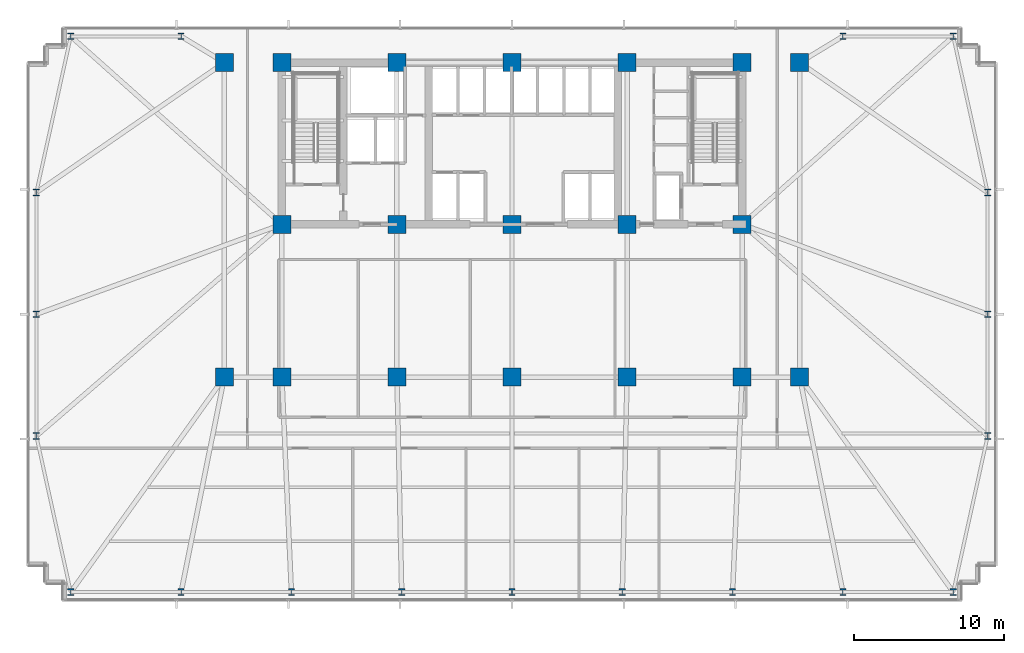
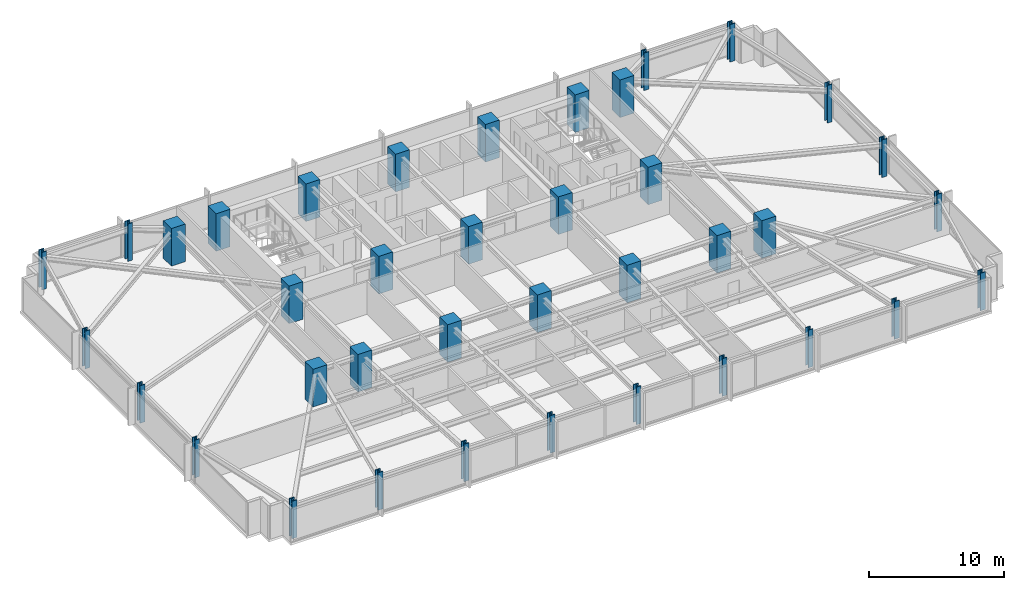
# One storey, part 1 of 32: 38 columns.
"""IFC4 building model written with IfcOpenShell, lengths in metres."""

from ifc_helpers import new_model, si_unit, direction, frame, origin, origin_2d, place, context, subcontext, project, spatial, rectangle, i_section, extrude, material, material_profile, profile_set, type_object, element, save


model = new_model("IFC4")

# Units and contexts
model_context = context("Model", 3, precision=1e-05, world=origin(), true_north=direction((0.0, 1.0)))
body_context = subcontext(model_context, "Body", "Model", "MODEL_VIEW")
ifc_project = project(units=[si_unit("LENGTHUNIT", "METRE"), si_unit("AREAUNIT", "SQUARE_METRE"), si_unit("VOLUMEUNIT", "CUBIC_METRE"), si_unit("PLANEANGLEUNIT", "RADIAN"), si_unit("MASSUNIT", "GRAM", prefix="KILO")], contexts=[model_context])

# Site, building, storey
site_placement = place(None, origin())
site = spatial("IfcSite", under=ifc_project, at=site_placement, CompositionType="ELEMENT")
building_placement = place(site_placement, origin())
building = spatial("IfcBuilding", under=site, at=building_placement, Name="Yelkora Congress Tower", CompositionType="ELEMENT")
storey_placement = place(building_placement, frame((0.0, 0.0, 74.60009765625)))
storey = spatial("IfcBuildingStorey", under=building, at=storey_placement, Name="L19", CompositionType="ELEMENT", Elevation=74.60009765625)

# Columns
ifc_material_1 = material(Name="Steel S460M", Category="steel")
ifc_material_profile_1 = material_profile(ifc_material_1, i_section(OverallWidth=0.41796875, OverallDepth=0.455078125, WebThickness=0.0419921875, FlangeThickness=0.068115234375, FilletRadius=0.014892578125, at=origin_2d()), Name="HD 400x551")
ifc_profile_set_1 = profile_set([ifc_material_profile_1], Name="Steel S460M")
column_type_1 = type_object("IfcColumnType", Name="COL-HD-551-EXT", PredefinedType="COLUMN", material=ifc_profile_set_1)
for number, where, z_axis, x_axis, name in (
    (1, (8.949951171875, 10.85009765625, 0.0), (0.0, 0.0, 1.0), (1.0, 0.0, 0.0), "L19 Perimeter Column S01"),
    (2, (16.3125, 10.85009765625, 0.0), (0.0, 0.0, 1.0), (1.0, 0.0, 0.0), "L19 Perimeter Column S02"),
    (3, (23.675048828125, 10.85009765625, 0.0), (0.0, 0.0, 1.0), (1.0, 0.0, 0.0), "L19 Perimeter Column S03"),
    (4, (31.03759765625, 10.85009765625, 0.0), (0.0, 0.0, 1.0), (1.0, 0.0, 0.0), "L19 Perimeter Column S04"),
    (5, (38.39990234375, 10.85009765625, 0.0), (0.0, 0.0, 1.0), (1.0, 0.0, 0.0), "L19 Perimeter Column S05"),
    (6, (45.762451171875, 10.85009765625, 0.0), (0.0, 0.0, 1.0), (1.0, 0.0, 0.0), "L19 Perimeter Column S06"),
    (7, (53.125, 10.85009765625, 0.0), (0.0, 0.0, 1.0), (1.0, 0.0, 0.0), "L19 Perimeter Column S07"),
    (8, (60.487548828125, 10.85009765625, 0.0), (0.0, 0.0, 1.0), (1.0, 0.0, 0.0), "L19 Perimeter Column S08"),
    (9, (67.85009765625, 10.85009765625, 0.0), (0.0, 0.0, 1.0), (1.0, 0.0, 0.0), "L19 Perimeter Column S09"),
    (10, (8.949951171875, 47.949951171875, 0.0), (0.0, 0.0, 1.0), (1.0, 0.0, 0.0), "L19 Perimeter Column N01"),
    (11, (16.3125, 47.949951171875, 0.0), (0.0, 0.0, 1.0), (1.0, 0.0, 0.0), "L19 Perimeter Column N02"),
    (12, (60.487548828125, 47.949951171875, 0.0), (0.0, 0.0, 1.0), (1.0, 0.0, 0.0), "L19 Perimeter Column N08"),
    (13, (67.85009765625, 47.949951171875, 0.0), (0.0, 0.0, 1.0), (1.0, 0.0, 0.0), "L19 Perimeter Column N09"),
    (14, (6.64990234375, 21.27490234375, 0.0), (0.0, 0.0, 1.0), (1.0, 0.0, 0.0), "L19 Perimeter Column W01"),
    (15, (70.14990234375, 21.27490234375, 0.0), (0.0, 0.0, 1.0), (1.0, 0.0, 0.0), "L19 Perimeter Column E01"),
    (16, (6.64990234375, 29.39990234375, 0.0), (0.0, 0.0, 1.0), (1.0, 0.0, 0.0), "L19 Perimeter Column W02"),
    (17, (70.14990234375, 29.39990234375, 0.0), (0.0, 0.0, 1.0), (1.0, 0.0, 0.0), "L19 Perimeter Column E02"),
    (18, (6.64990234375, 37.52490234375, 0.0), (0.0, 0.0, 1.0), (1.0, 0.0, 0.0), "L19 Perimeter Column W03"),
    (19, (70.14990234375, 37.52490234375, 0.0), (0.0, 0.0, 1.0), (1.0, 0.0, 0.0), "L19 Perimeter Column E03"),
):
    element("IfcColumn", number, at=place(storey_placement, frame(where, z_axis=z_axis, x_axis=x_axis)), inside=storey, type_object=column_type_1, Name=name, PredefinedType="COLUMN", context=body_context, shape_type="SweptSolid", body=[
        extrude(i_section(OverallWidth=0.41796875, OverallDepth=0.455078125, WebThickness=0.0419921875, FlangeThickness=0.068115234375, FilletRadius=0.014892578125, at=origin_2d()), origin(), (0.0, 0.0, 1.0), 3.39990234375),
    ])
ifc_material_2 = material(Name="Concrete C60/75", Category="concrete")
ifc_material_profile_2 = material_profile(ifc_material_2, rectangle(XDim=1.199951171875, YDim=1.199951171875, at=origin_2d()), Name="RC 1200x1200")
ifc_profile_set_2 = profile_set([ifc_material_profile_2], Name="Concrete C60/75")
column_type_2 = type_object("IfcColumnType", Name="COL-RC-1200", PredefinedType="COLUMN", material=ifc_profile_set_2)
for number, where, z_axis, x_axis, name in (
    (20, (23.0400390625, 35.39990234375, 0.0), (0.0, 0.0, 1.0), (1.0, 0.0, 0.0), "L19 Mega Column MC-S1"),
    (21, (23.0400390625, 46.199951171875, 0.0), (0.0, 0.0, 1.0), (1.0, 0.0, 0.0), "L19 Mega Column MC-N1"),
    (22, (23.0400390625, 25.199951171875, 0.0), (0.0, 0.0, 1.0), (1.0, 0.0, 0.0), "L19 Mega Column MC-D1"),
    (23, (30.719970703125, 35.39990234375, 0.0), (0.0, 0.0, 1.0), (1.0, 0.0, 0.0), "L19 Mega Column MC-S2"),
    (24, (30.719970703125, 46.199951171875, 0.0), (0.0, 0.0, 1.0), (1.0, 0.0, 0.0), "L19 Mega Column MC-N2"),
    (25, (30.719970703125, 25.199951171875, 0.0), (0.0, 0.0, 1.0), (1.0, 0.0, 0.0), "L19 Mega Column MC-D2"),
    (26, (38.39990234375, 35.39990234375, 0.0), (0.0, 0.0, 1.0), (1.0, 0.0, 0.0), "L19 Mega Column MC-S3"),
    (27, (38.39990234375, 46.199951171875, 0.0), (0.0, 0.0, 1.0), (1.0, 0.0, 0.0), "L19 Mega Column MC-N3"),
    (28, (38.39990234375, 25.199951171875, 0.0), (0.0, 0.0, 1.0), (1.0, 0.0, 0.0), "L19 Mega Column MC-D3"),
    (29, (46.080078125, 35.39990234375, 0.0), (0.0, 0.0, 1.0), (1.0, 0.0, 0.0), "L19 Mega Column MC-S4"),
    (30, (46.080078125, 46.199951171875, 0.0), (0.0, 0.0, 1.0), (1.0, 0.0, 0.0), "L19 Mega Column MC-N4"),
    (31, (46.080078125, 25.199951171875, 0.0), (0.0, 0.0, 1.0), (1.0, 0.0, 0.0), "L19 Mega Column MC-D4"),
    (32, (53.760009765625, 35.39990234375, 0.0), (0.0, 0.0, 1.0), (1.0, 0.0, 0.0), "L19 Mega Column MC-S5"),
    (33, (53.760009765625, 46.199951171875, 0.0), (0.0, 0.0, 1.0), (1.0, 0.0, 0.0), "L19 Mega Column MC-N5"),
    (34, (53.760009765625, 25.199951171875, 0.0), (0.0, 0.0, 1.0), (1.0, 0.0, 0.0), "L19 Mega Column MC-D5"),
    (35, (19.199951171875, 25.199951171875, 0.0), (0.0, 0.0, 1.0), (1.0, 0.0, 0.0), "L19 Mega Column MC-F1"),
    (36, (57.60009765625, 25.199951171875, 0.0), (0.0, 0.0, 1.0), (1.0, 0.0, 0.0), "L19 Mega Column MC-F2"),
    (37, (19.199951171875, 46.199951171875, 0.0), (0.0, 0.0, 1.0), (1.0, 0.0, 0.0), "L19 Mega Column MC-F3"),
    (38, (57.60009765625, 46.199951171875, 0.0), (0.0, 0.0, 1.0), (1.0, 0.0, 0.0), "L19 Mega Column MC-F4"),
):
    element("IfcColumn", number, at=place(storey_placement, frame(where, z_axis=z_axis, x_axis=x_axis)), inside=storey, type_object=column_type_2, Name=name, PredefinedType="COLUMN", context=body_context, shape_type="SweptSolid", body=[
        extrude(rectangle(XDim=1.199951171875, YDim=1.199951171875, at=origin_2d()), origin(), (0.0, 0.0, 1.0), 3.39990234375),
    ])

save(model, "model.ifc")
